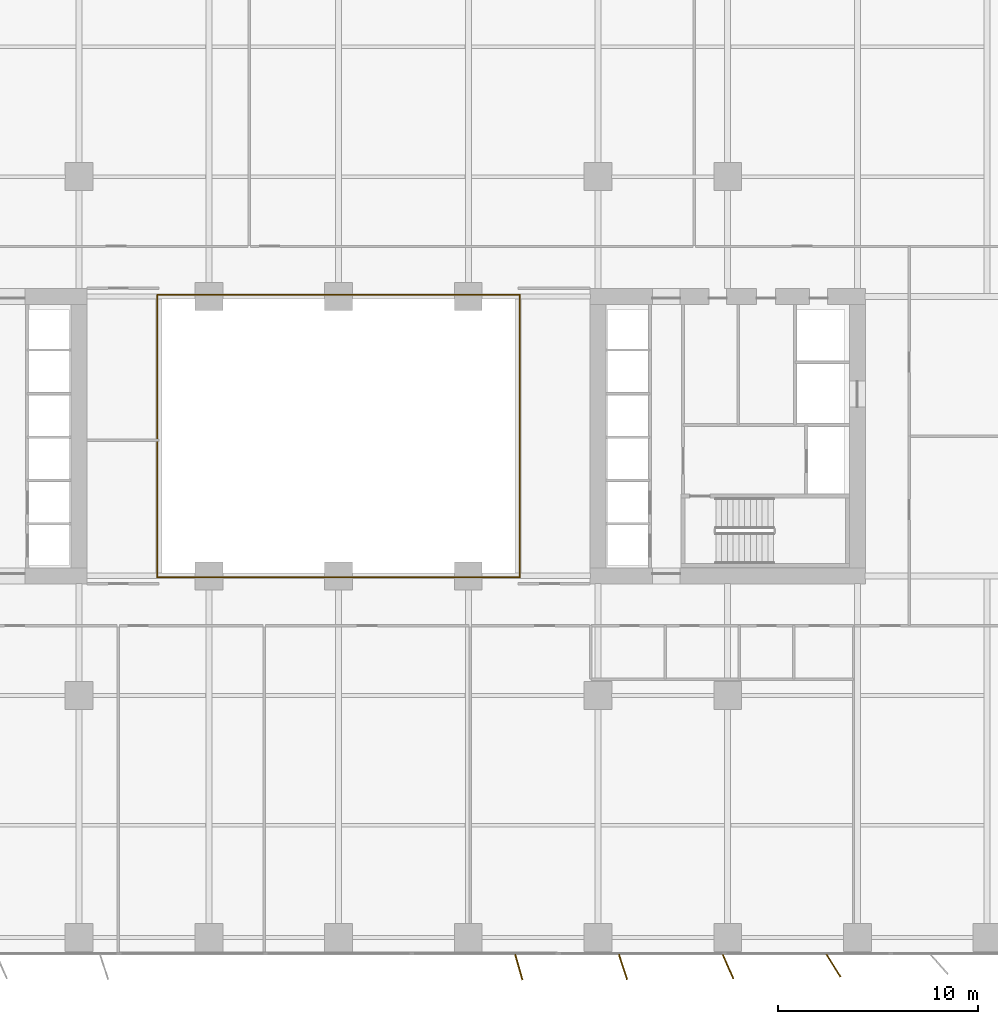
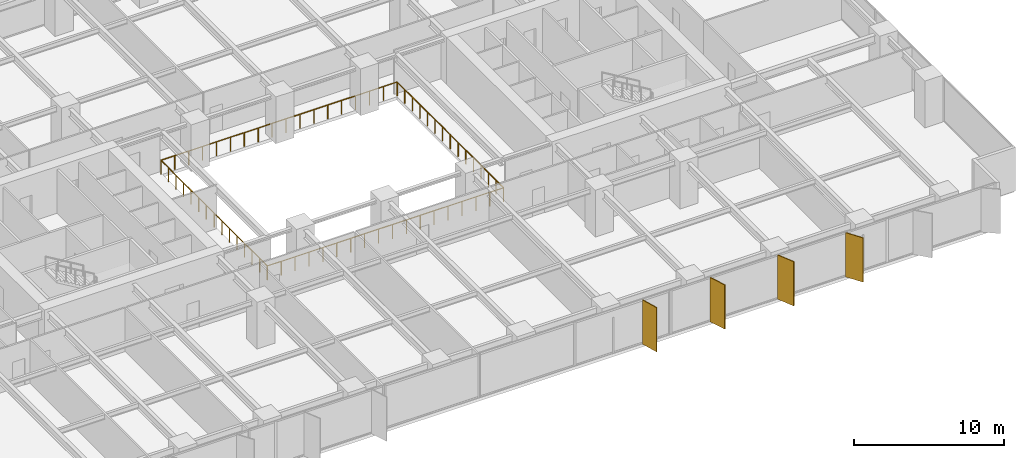
# One storey, part 18 of 20: 4 shading devices, 2 railings.
"""IFC4 building model written with IfcOpenShell, lengths in metres."""

from ifc_helpers import new_model, si_unit, direction, frame, origin, origin_2d, place, context, subcontext, project, spatial, rectangle, circle, extrude, material, layer, layer_set, type_object, element, save


model = new_model("IFC4")

# Units and contexts
model_context = context("Model", 3, precision=1e-05, world=origin(), true_north=direction((0.0, 1.0)))
body_context = subcontext(model_context, "Body", "Model", "MODEL_VIEW")
ifc_project = project(units=[si_unit("LENGTHUNIT", "METRE"), si_unit("AREAUNIT", "SQUARE_METRE"), si_unit("VOLUMEUNIT", "CUBIC_METRE"), si_unit("PLANEANGLEUNIT", "RADIAN"), si_unit("MASSUNIT", "GRAM", prefix="KILO")], contexts=[model_context])

# Site, building, storey
site_placement = place(None, origin())
site = spatial("IfcSite", under=ifc_project, at=site_placement, CompositionType="ELEMENT")
building_placement = place(site_placement, origin())
building = spatial("IfcBuilding", under=site, at=building_placement, Name="Putna Gate Headquarters", CompositionType="ELEMENT")
storey_placement = place(building_placement, frame((0.0, 0.0, 62.0)))
storey = spatial("IfcBuildingStorey", under=building, at=storey_placement, Name="L14", CompositionType="ELEMENT", Elevation=62.0)

# Railings
ifc_material_1 = material(Name="Anodised bronze and laminated glass atrium balustrade", Category="glass")
railing_type = type_object("IfcRailingType", Name="RAIL-ATRIUM-GUARD-1150", PredefinedType="GUARDRAIL", material=ifc_material_1)
railing_1_placement = place(storey_placement, frame((29.919921875, 25.969970703125, 0.0)))
element("IfcRailing", 1, at=railing_1_placement, inside=storey, type_object=railing_type, Name="L14 Central Atrium Glazed Balustrade South", PredefinedType="GUARDRAIL", context=body_context, shape_type="SweptSolid", body=[
    extrude(circle(Radius=0.02392578125, at=origin_2d()), frame((0.0, 0.0, 1.1259765625), z_axis=(0.0, -1.0, 0.0), x_axis=(1.0, 0.0, 0.0)), (0.0, 0.0, 1.0), 7.050048828125),
    extrude(circle(Radius=0.02392578125, at=origin_2d()), frame((0.0, -7.050048828125, 1.1259765625), z_axis=(1.0, 0.0, 0.0), x_axis=(0.0, 1.0, 0.0)), (0.0, 0.0, 1.0), 18.16015625),
    extrude(circle(Radius=0.02392578125, at=origin_2d()), frame((18.16015625, -7.050048828125, 1.1259765625), z_axis=(0.0, 1.0, 0.0), x_axis=(-1.0, 0.0, 0.0)), (0.0, 0.0, 1.0), 7.050048828125),
    extrude(circle(Radius=0.02099609375, at=origin_2d()), origin(), (0.0, 0.0, 1.0), 1.101806640625),
    extrude(circle(Radius=0.02099609375, at=origin_2d()), frame((0.0, -1.007080078125, 0.0)), (0.0, 0.0, 1.0), 1.101806640625),
    extrude(circle(Radius=0.02099609375, at=origin_2d()), frame((0.0, -2.014404296875, 0.0)), (0.0, 0.0, 1.0), 1.101806640625),
    extrude(circle(Radius=0.02099609375, at=origin_2d()), frame((0.0, -3.021484375, 0.0)), (0.0, 0.0, 1.0), 1.101806640625),
    extrude(circle(Radius=0.02099609375, at=origin_2d()), frame((0.0, -4.028564453125, 0.0)), (0.0, 0.0, 1.0), 1.101806640625),
    extrude(circle(Radius=0.02099609375, at=origin_2d()), frame((0.0, -5.03564453125, 0.0)), (0.0, 0.0, 1.0), 1.101806640625),
    extrude(circle(Radius=0.02099609375, at=origin_2d()), frame((0.0, -6.04296875, 0.0)), (0.0, 0.0, 1.0), 1.101806640625),
    extrude(circle(Radius=0.02099609375, at=origin_2d()), frame((0.0, -7.050048828125, 0.0)), (0.0, 0.0, 1.0), 1.101806640625),
    extrude(circle(Radius=0.02099609375, at=origin_2d()), frame((1.068359375, -7.050048828125, 0.0)), (0.0, 0.0, 1.0), 1.101806640625),
    extrude(circle(Radius=0.02099609375, at=origin_2d()), frame((2.136474609375, -7.050048828125, 0.0)), (0.0, 0.0, 1.0), 1.101806640625),
    extrude(circle(Radius=0.02099609375, at=origin_2d()), frame((3.204833984375, -7.050048828125, 0.0)), (0.0, 0.0, 1.0), 1.101806640625),
    extrude(circle(Radius=0.02099609375, at=origin_2d()), frame((4.27294921875, -7.050048828125, 0.0)), (0.0, 0.0, 1.0), 1.101806640625),
    extrude(circle(Radius=0.02099609375, at=origin_2d()), frame((5.34130859375, -7.050048828125, 0.0)), (0.0, 0.0, 1.0), 1.101806640625),
    extrude(circle(Radius=0.02099609375, at=origin_2d()), frame((6.409423828125, -7.050048828125, 0.0)), (0.0, 0.0, 1.0), 1.101806640625),
    extrude(circle(Radius=0.02099609375, at=origin_2d()), frame((7.477783203125, -7.050048828125, 0.0)), (0.0, 0.0, 1.0), 1.101806640625),
    extrude(circle(Radius=0.02099609375, at=origin_2d()), frame((8.5458984375, -7.050048828125, 0.0)), (0.0, 0.0, 1.0), 1.101806640625),
    extrude(circle(Radius=0.02099609375, at=origin_2d()), frame((9.6142578125, -7.050048828125, 0.0)), (0.0, 0.0, 1.0), 1.101806640625),
    extrude(circle(Radius=0.02099609375, at=origin_2d()), frame((10.682373046875, -7.050048828125, 0.0)), (0.0, 0.0, 1.0), 1.101806640625),
    extrude(circle(Radius=0.02099609375, at=origin_2d()), frame((11.750732421875, -7.050048828125, 0.0)), (0.0, 0.0, 1.0), 1.101806640625),
    extrude(circle(Radius=0.02099609375, at=origin_2d()), frame((12.81884765625, -7.050048828125, 0.0)), (0.0, 0.0, 1.0), 1.101806640625),
    extrude(circle(Radius=0.02099609375, at=origin_2d()), frame((13.88720703125, -7.050048828125, 0.0)), (0.0, 0.0, 1.0), 1.101806640625),
    extrude(circle(Radius=0.02099609375, at=origin_2d()), frame((14.955322265625, -7.050048828125, 0.0)), (0.0, 0.0, 1.0), 1.101806640625),
    extrude(circle(Radius=0.02099609375, at=origin_2d()), frame((16.023681640625, -7.050048828125, 0.0)), (0.0, 0.0, 1.0), 1.101806640625),
    extrude(circle(Radius=0.02099609375, at=origin_2d()), frame((17.091796875, -7.050048828125, 0.0)), (0.0, 0.0, 1.0), 1.101806640625),
    extrude(circle(Radius=0.02099609375, at=origin_2d()), frame((18.16015625, -7.050048828125, 0.0)), (0.0, 0.0, 1.0), 1.101806640625),
    extrude(circle(Radius=0.02099609375, at=origin_2d()), frame((18.16015625, -6.04296875, 0.0)), (0.0, 0.0, 1.0), 1.101806640625),
    extrude(circle(Radius=0.02099609375, at=origin_2d()), frame((18.16015625, -5.03564453125, 0.0)), (0.0, 0.0, 1.0), 1.101806640625),
    extrude(circle(Radius=0.02099609375, at=origin_2d()), frame((18.16015625, -4.028564453125, 0.0)), (0.0, 0.0, 1.0), 1.101806640625),
    extrude(circle(Radius=0.02099609375, at=origin_2d()), frame((18.16015625, -3.021484375, 0.0)), (0.0, 0.0, 1.0), 1.101806640625),
    extrude(circle(Radius=0.02099609375, at=origin_2d()), frame((18.16015625, -2.014404296875, 0.0)), (0.0, 0.0, 1.0), 1.101806640625),
    extrude(circle(Radius=0.02099609375, at=origin_2d()), frame((18.16015625, -1.007080078125, 0.0)), (0.0, 0.0, 1.0), 1.101806640625),
    extrude(circle(Radius=0.02099609375, at=origin_2d()), frame((18.16015625, 0.0, 0.0)), (0.0, 0.0, 1.0), 1.101806640625),
])
railing_2_placement = place(storey_placement, frame((48.080078125, 26.030029296875, 0.0)))
element("IfcRailing", 2, at=railing_2_placement, inside=storey, type_object=railing_type, Name="L14 Central Atrium Glazed Balustrade North", PredefinedType="GUARDRAIL", context=body_context, shape_type="SweptSolid", body=[
    extrude(circle(Radius=0.02392578125, at=origin_2d()), frame((0.0, 0.0, 1.1259765625), z_axis=(0.0, 1.0, 0.0), x_axis=(-1.0, 0.0, 0.0)), (0.0, 0.0, 1.0), 7.050048828125),
    extrude(circle(Radius=0.02392578125, at=origin_2d()), frame((0.0, 7.050048828125, 1.1259765625), z_axis=(-1.0, 0.0, 0.0), x_axis=(0.0, -1.0, 0.0)), (0.0, 0.0, 1.0), 18.16015625),
    extrude(circle(Radius=0.02392578125, at=origin_2d()), frame((-18.16015625, 7.050048828125, 1.1259765625), z_axis=(0.0, -1.0, 0.0), x_axis=(1.0, 0.0, 0.0)), (0.0, 0.0, 1.0), 7.050048828125),
    extrude(circle(Radius=0.02099609375, at=origin_2d()), origin(), (0.0, 0.0, 1.0), 1.101806640625),
    extrude(circle(Radius=0.02099609375, at=origin_2d()), frame((0.0, 1.007080078125, 0.0)), (0.0, 0.0, 1.0), 1.101806640625),
    extrude(circle(Radius=0.02099609375, at=origin_2d()), frame((0.0, 2.014404296875, 0.0)), (0.0, 0.0, 1.0), 1.101806640625),
    extrude(circle(Radius=0.02099609375, at=origin_2d()), frame((0.0, 3.021484375, 0.0)), (0.0, 0.0, 1.0), 1.101806640625),
    extrude(circle(Radius=0.02099609375, at=origin_2d()), frame((0.0, 4.028564453125, 0.0)), (0.0, 0.0, 1.0), 1.101806640625),
    extrude(circle(Radius=0.02099609375, at=origin_2d()), frame((0.0, 5.03564453125, 0.0)), (0.0, 0.0, 1.0), 1.101806640625),
    extrude(circle(Radius=0.02099609375, at=origin_2d()), frame((0.0, 6.04296875, 0.0)), (0.0, 0.0, 1.0), 1.101806640625),
    extrude(circle(Radius=0.02099609375, at=origin_2d()), frame((0.0, 7.050048828125, 0.0)), (0.0, 0.0, 1.0), 1.101806640625),
    extrude(circle(Radius=0.02099609375, at=origin_2d()), frame((-1.068359375, 7.050048828125, 0.0)), (0.0, 0.0, 1.0), 1.101806640625),
    extrude(circle(Radius=0.02099609375, at=origin_2d()), frame((-2.136474609375, 7.050048828125, 0.0)), (0.0, 0.0, 1.0), 1.101806640625),
    extrude(circle(Radius=0.02099609375, at=origin_2d()), frame((-3.204833984375, 7.050048828125, 0.0)), (0.0, 0.0, 1.0), 1.101806640625),
    extrude(circle(Radius=0.02099609375, at=origin_2d()), frame((-4.27294921875, 7.050048828125, 0.0)), (0.0, 0.0, 1.0), 1.101806640625),
    extrude(circle(Radius=0.02099609375, at=origin_2d()), frame((-5.34130859375, 7.050048828125, 0.0)), (0.0, 0.0, 1.0), 1.101806640625),
    extrude(circle(Radius=0.02099609375, at=origin_2d()), frame((-6.409423828125, 7.050048828125, 0.0)), (0.0, 0.0, 1.0), 1.101806640625),
    extrude(circle(Radius=0.02099609375, at=origin_2d()), frame((-7.477783203125, 7.050048828125, 0.0)), (0.0, 0.0, 1.0), 1.101806640625),
    extrude(circle(Radius=0.02099609375, at=origin_2d()), frame((-8.5458984375, 7.050048828125, 0.0)), (0.0, 0.0, 1.0), 1.101806640625),
    extrude(circle(Radius=0.02099609375, at=origin_2d()), frame((-9.6142578125, 7.050048828125, 0.0)), (0.0, 0.0, 1.0), 1.101806640625),
    extrude(circle(Radius=0.02099609375, at=origin_2d()), frame((-10.682373046875, 7.050048828125, 0.0)), (0.0, 0.0, 1.0), 1.101806640625),
    extrude(circle(Radius=0.02099609375, at=origin_2d()), frame((-11.750732421875, 7.050048828125, 0.0)), (0.0, 0.0, 1.0), 1.101806640625),
    extrude(circle(Radius=0.02099609375, at=origin_2d()), frame((-12.81884765625, 7.050048828125, 0.0)), (0.0, 0.0, 1.0), 1.101806640625),
    extrude(circle(Radius=0.02099609375, at=origin_2d()), frame((-13.88720703125, 7.050048828125, 0.0)), (0.0, 0.0, 1.0), 1.101806640625),
    extrude(circle(Radius=0.02099609375, at=origin_2d()), frame((-14.955322265625, 7.050048828125, 0.0)), (0.0, 0.0, 1.0), 1.101806640625),
    extrude(circle(Radius=0.02099609375, at=origin_2d()), frame((-16.023681640625, 7.050048828125, 0.0)), (0.0, 0.0, 1.0), 1.101806640625),
    extrude(circle(Radius=0.02099609375, at=origin_2d()), frame((-17.091796875, 7.050048828125, 0.0)), (0.0, 0.0, 1.0), 1.101806640625),
    extrude(circle(Radius=0.02099609375, at=origin_2d()), frame((-18.16015625, 7.050048828125, 0.0)), (0.0, 0.0, 1.0), 1.101806640625),
    extrude(circle(Radius=0.02099609375, at=origin_2d()), frame((-18.16015625, 6.04296875, 0.0)), (0.0, 0.0, 1.0), 1.101806640625),
    extrude(circle(Radius=0.02099609375, at=origin_2d()), frame((-18.16015625, 5.03564453125, 0.0)), (0.0, 0.0, 1.0), 1.101806640625),
    extrude(circle(Radius=0.02099609375, at=origin_2d()), frame((-18.16015625, 4.028564453125, 0.0)), (0.0, 0.0, 1.0), 1.101806640625),
    extrude(circle(Radius=0.02099609375, at=origin_2d()), frame((-18.16015625, 3.021484375, 0.0)), (0.0, 0.0, 1.0), 1.101806640625),
    extrude(circle(Radius=0.02099609375, at=origin_2d()), frame((-18.16015625, 2.014404296875, 0.0)), (0.0, 0.0, 1.0), 1.101806640625),
    extrude(circle(Radius=0.02099609375, at=origin_2d()), frame((-18.16015625, 1.007080078125, 0.0)), (0.0, 0.0, 1.0), 1.101806640625),
    extrude(circle(Radius=0.02099609375, at=origin_2d()), frame((-18.16015625, 0.0, 0.0)), (0.0, 0.0, 1.0), 1.101806640625),
])

# Shading devices
ifc_material_2 = material(Name="Anodised architectural bronze aluminium fin", Category="aluminium")
ifc_layer = layer(ifc_material_2, 0.06494140625)
ifc_layer_set = layer_set([ifc_layer], Name="Anodised architectural bronze aluminium fin")
shading_device_type = type_object("IfcShadingDeviceType", Name="SHADE-BRONZE-FIN-1320", PredefinedType="USERDEFINED", material=ifc_layer_set)
for number, where, z_axis, x_axis, name in (
    (3, (48.031982421875, -0.609375, -0.02001953125), (0.0, 0.0, 1.0), (0.275637355817, -0.961261695938, 0.0), "L14 Bronze Vertical Shading Fin S8"),
    (4, (53.253662109375, -0.602783203125, -0.02001953125), (0.0, 0.0, 1.0), (0.308684994204, -0.951164325631, 0.0), "L14 Bronze Vertical Shading Fin S9"),
    (5, (58.514404296875, -0.57958984375, -0.02001953125), (0.0, 0.0, 1.0), (0.400668879095, -0.916222925562, 0.0), "L14 Bronze Vertical Shading Fin S10"),
    (6, (63.80029296875, -0.534423828125, -0.02001953125), (0.0, 0.0, 1.0), (0.530659123936, -0.847585331506, 0.0), "L14 Bronze Vertical Shading Fin S11"),
):
    element("IfcShadingDevice", number, at=place(storey_placement, frame(where, z_axis=z_axis, x_axis=x_axis)), inside=storey, type_object=shading_device_type, Name=name, ObjectType="FIN", PredefinedType="USERDEFINED", context=body_context, shape_type="SweptSolid", body=[
        extrude(rectangle(XDim=1.320068359375, YDim=0.06494140625, at=origin_2d()), origin(), (0.0, 0.0, 1.0), 3.590087890625),
    ])

save(model, "model.ifc")
